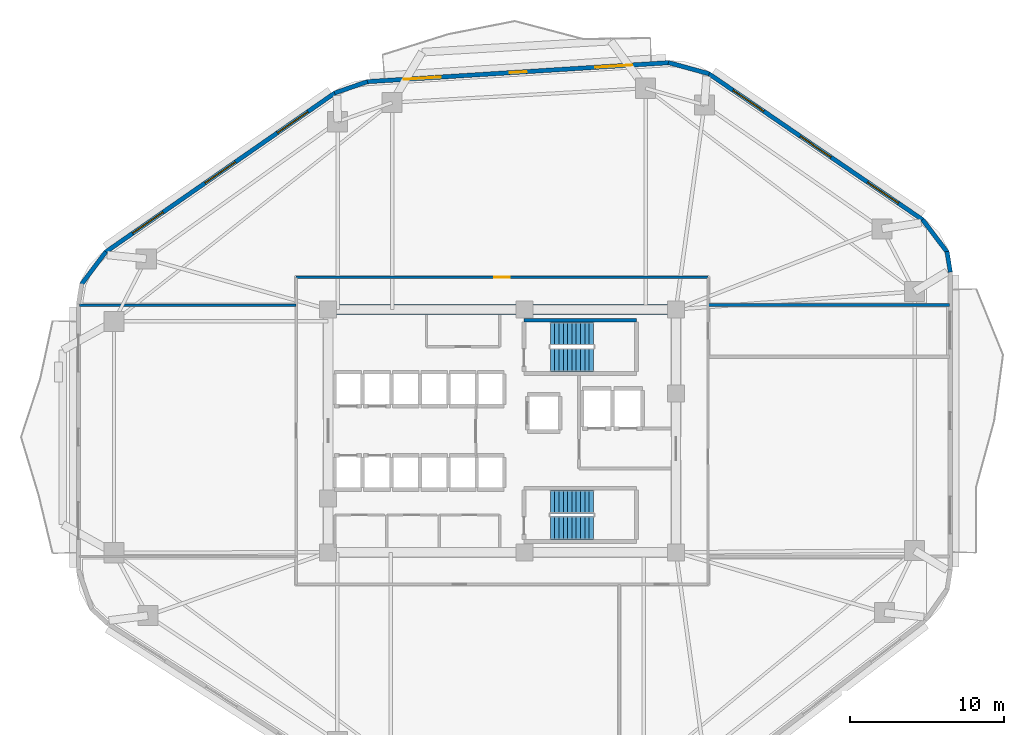
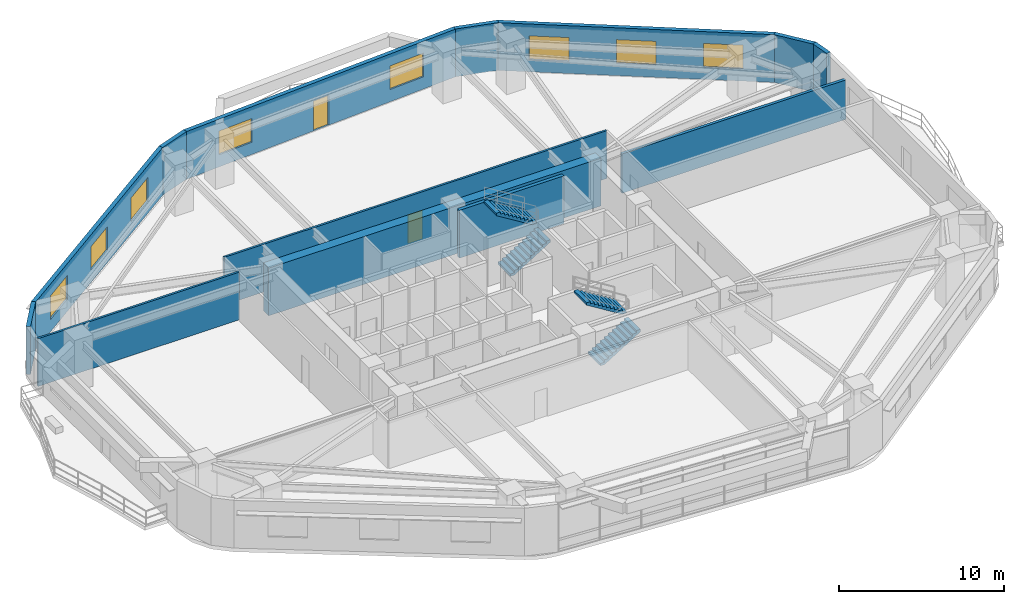
# One storey, part 10 of 13: 13 walls, 8 windows, 4 stair flights, 2 doors, 10 openings, 2 elements without a shape of their own.
"""IFC4 building model written with IfcOpenShell, lengths in metres."""

from ifc_helpers import new_model, si_unit, direction, frame, frame_2d, origin, place, context, subcontext, project, spatial, polyline, rectangle, outline, extrude, material, layer, layer_set, type_object, element, fill, aggregate, save


model = new_model("IFC4")

# Units and contexts
model_context = context("Model", 3, precision=1e-05, world=origin(), true_north=direction((0.0, 1.0)))
body_context = subcontext(model_context, "Body", "Model", "MODEL_VIEW")
ifc_project = project(units=[si_unit("LENGTHUNIT", "METRE"), si_unit("AREAUNIT", "SQUARE_METRE"), si_unit("VOLUMEUNIT", "CUBIC_METRE"), si_unit("PLANEANGLEUNIT", "RADIAN"), si_unit("MASSUNIT", "GRAM", prefix="KILO")], contexts=[model_context])

# Site, building, storey
site_placement = place(None, origin())
site = spatial("IfcSite", under=ifc_project, at=site_placement, CompositionType="ELEMENT")
building_placement = place(site_placement, origin())
building = spatial("IfcBuilding", under=site, at=building_placement, Name="Zulverin Broadcast Headquarters", CompositionType="ELEMENT")
storey_placement = place(building_placement, frame((0.0, 0.0, 70.60009765625)))
storey = spatial("IfcBuildingStorey", under=building, at=storey_placement, Name="L17", CompositionType="ELEMENT", Elevation=70.60009765625)

# Walls
ifc_material_1 = material(Name="Acoustic drywall steel stud", Category="steel")
ifc_layer_1 = layer(ifc_material_1, 0.199951171875, Name="Acoustic drywall steel stud", Category="steel")
ifc_layer_set_1 = layer_set([ifc_layer_1], Name="Acoustic drywall steel stud")
wall_type_1 = type_object("IfcWallType", Name="WL-ACOU-200", PredefinedType="PARTITIONING", material=ifc_layer_set_1)
wall_1_placement = place(storey_placement, frame((50.35009765625, 33.35009765625, 0.0), z_axis=(0.0, 0.0, 1.0), x_axis=(1.0, 0.0, 0.0)))
element("IfcWall", 1, at=wall_1_placement, inside=storey, type_object=wall_type_1, Name="L17 Room Partition Wall RP-09", PredefinedType="PARTITIONING", context=body_context, shape_type="SweptSolid", body=[
    extrude(rectangle(XDim=15.64501953125, YDim=0.199951171875, at=frame_2d((7.822509765625, 0.0))), origin(), (0.0, 0.0, 1.0), 2.90771484375),
])
ifc_material_2 = material(Name="Concrete C60/75", Category="concrete")
ifc_layer_2 = layer(ifc_material_2, 0.64990234375, Name="Concrete C60/75", Category="concrete")
ifc_layer_set_2 = layer_set([ifc_layer_2], Name="Concrete C60/75")
wall_type_2 = type_object("IfcWallType", Name="WL-CORE-650", PredefinedType="SHEAR", material=ifc_layer_set_2)
wall_2_placement = place(storey_placement, frame((25.39990234375, 33.074951171875, 0.0), z_axis=(0.0, 0.0, 1.0), x_axis=(1.0, 0.0, 0.0)))
element("IfcWall", 2, at=wall_2_placement, inside=storey, type_object=wall_type_2, Name="L17 Core North Shear Wall", PredefinedType="SHEAR", context=body_context, shape_type="SweptSolid", body=[
    extrude(rectangle(XDim=23.2001953125, YDim=0.64990234375, at=frame_2d((11.60009765625, 0.0))), origin(), (0.0, 0.0, 1.0), 3.52490234375),
])

# Wall, openings, windows
ifc_material_3 = material(Name="Insulated pale-metal clad concrete spandrel C40/50", Category="concrete")
ifc_layer_3 = layer(ifc_material_3, 0.280029296875, Name="Insulated pale-metal clad concrete spandrel C40/50", Category="concrete")
ifc_layer_set_3 = layer_set([ifc_layer_3], Name="Insulated pale-metal clad concrete spandrel C40/50")
wall_type_3 = type_object("IfcWallType", Name="WL-EXT-280", PredefinedType="STANDARD", material=ifc_layer_set_3)
wall_3_placement = place(storey_placement, frame((64.289794921875, 38.8671875, 0.0), z_axis=(0.0, 0.0, 1.0), x_axis=(-0.825755550159, 0.564028165416, 0.0)))
wall_3 = element("IfcWall", 3, at=wall_3_placement, inside=storey, type_object=wall_type_3, Name="L17 Pale-Metal Clad Spandrel Wall 4", PredefinedType="STANDARD", context=body_context, shape_type="SweptSolid", body=[
    extrude(rectangle(XDim=16.848388671875, YDim=0.280029296875, at=frame_2d((8.42431640625, 0.0))), origin(), (0.0, 0.0, 1.0), 3.52490234375),
])
opening_1_placement = place(wall_3_placement, frame((1.94140625, 0.0, 0.89990234375)))
opening_1 = element("IfcOpeningElement", 4, at=opening_1_placement, cuts=wall_3, Name="Opening W-L17-E41", PredefinedType="OPENING", context=body_context, shape_type="SweptSolid", body=[
    extrude(rectangle(XDim=2.39990234375, YDim=1.75, at=frame_2d((1.199951171875, 0.875))), frame((0.0, 0.14990234375, 0.0), z_axis=(0.0, -1.0, 0.0), x_axis=(1.0, 0.0, 0.0)), (0.0, 0.0, 1.0), 0.300048828125),
])
opening_2_placement = place(wall_3_placement, frame((7.22412109375, 0.0, 0.89990234375)))
opening_2 = element("IfcOpeningElement", 5, at=opening_2_placement, cuts=wall_3, Name="Opening W-L17-E42", PredefinedType="OPENING", context=body_context, shape_type="SweptSolid", body=[
    extrude(rectangle(XDim=2.39990234375, YDim=1.75, at=frame_2d((1.199951171875, 0.875))), frame((0.0, 0.14990234375, 0.0), z_axis=(0.0, -1.0, 0.0), x_axis=(1.0, 0.0, 0.0)), (0.0, 0.0, 1.0), 0.300048828125),
])
opening_3_placement = place(wall_3_placement, frame((12.5068359375, 0.0, 0.89990234375)))
opening_3 = element("IfcOpeningElement", 6, at=opening_3_placement, cuts=wall_3, Name="Opening W-L17-E43", PredefinedType="OPENING", context=body_context, shape_type="SweptSolid", body=[
    extrude(rectangle(XDim=2.39990234375, YDim=1.75, at=frame_2d((1.199951171875, 0.875))), frame((0.0, 0.14990234375, 0.0), z_axis=(0.0, -1.0, 0.0), x_axis=(1.0, 0.0, 0.0)), (0.0, 0.0, 1.0), 0.300048828125),
])
ifc_material_4 = material(Name="Pale anodized aluminium frame with solar-control low-E double glazing", Category="aluminium")
window_type = type_object("IfcWindowType", Name="WIN-RIB-2400", PartitioningType="SINGLE_PANEL", PredefinedType="WINDOW", material=ifc_material_4)
window_1_placement = place(opening_1_placement, origin())
window_1 = element("IfcWindow", 7, at=window_1_placement, inside=storey, type_object=window_type, Name="L17 Ribbon Glazing Window 4 1", OverallHeight=1.75, OverallWidth=2.39990234375, PartitioningType="SINGLE_PANEL", PredefinedType="WINDOW", context=body_context, shape_type="SweptSolid", body=[
    extrude(rectangle(XDim=2.39990234375, YDim=1.75, at=frame_2d((1.199951171875, 0.875))), frame((0.0, 0.030029296875, 0.0), z_axis=(0.0, -1.0, 0.0), x_axis=(1.0, 0.0, 0.0)), (0.0, 0.0, 1.0), 0.06005859375),
])
fill(opening_1, window_1)
window_2_placement = place(opening_2_placement, origin())
window_2 = element("IfcWindow", 8, at=window_2_placement, inside=storey, type_object=window_type, Name="L17 Ribbon Glazing Window 4 2", OverallHeight=1.75, OverallWidth=2.39990234375, PartitioningType="SINGLE_PANEL", PredefinedType="WINDOW", context=body_context, shape_type="SweptSolid", body=[
    extrude(rectangle(XDim=2.39990234375, YDim=1.75, at=frame_2d((1.199951171875, 0.875))), frame((0.0, 0.030029296875, 0.0), z_axis=(0.0, -1.0, 0.0), x_axis=(1.0, 0.0, 0.0)), (0.0, 0.0, 1.0), 0.06005859375),
])
fill(opening_2, window_2)
window_3_placement = place(opening_3_placement, origin())
window_3 = element("IfcWindow", 9, at=window_3_placement, inside=storey, type_object=window_type, Name="L17 Ribbon Glazing Window 4 3", OverallHeight=1.75, OverallWidth=2.39990234375, PartitioningType="SINGLE_PANEL", PredefinedType="WINDOW", context=body_context, shape_type="SweptSolid", body=[
    extrude(rectangle(XDim=2.39990234375, YDim=1.75, at=frame_2d((1.199951171875, 0.875))), frame((0.0, 0.030029296875, 0.0), z_axis=(0.0, -1.0, 0.0), x_axis=(1.0, 0.0, 0.0)), (0.0, 0.0, 1.0), 0.06005859375),
])
fill(opening_3, window_3)

# Wall, openings, door, windows
wall_4_placement = place(storey_placement, frame((47.831787109375, 49.0693359375, 0.0), z_axis=(0.0, 0.0, 1.0), x_axis=(-0.998017725054, -0.062933460723, 0.0)))
wall_4 = element("IfcWall", 10, at=wall_4_placement, inside=storey, type_object=wall_type_3, Name="L17 Pale-Metal Clad Spandrel Wall 5", PredefinedType="STANDARD", context=body_context, shape_type="SweptSolid", body=[
    extrude(rectangle(XDim=19.62939453125, YDim=0.280029296875, at=frame_2d((9.814697265625, 0.0))), origin(), (0.0, 0.0, 1.0), 3.52490234375),
])
opening_4_placement = place(wall_4_placement, frame((9.264892578125, 0.0, 0.0)))
opening_4 = element("IfcOpeningElement", 11, at=opening_4_placement, cuts=wall_4, Name="Opening D-L17-TR5", PredefinedType="OPENING", context=body_context, shape_type="SweptSolid", body=[
    extrude(rectangle(XDim=1.10009765625, YDim=2.199951171875, at=frame_2d((0.550048828125, 1.10009765625))), frame((0.0, 0.14990234375, 0.0), z_axis=(0.0, -1.0, 0.0), x_axis=(1.0, 0.0, 0.0)), (0.0, 0.0, 1.0), 0.300048828125),
])
opening_5_placement = place(wall_4_placement, frame((2.40478515625, 0.0, 0.89990234375)))
opening_5 = element("IfcOpeningElement", 12, at=opening_5_placement, cuts=wall_4, Name="Opening W-L17-E51", PredefinedType="OPENING", context=body_context, shape_type="SweptSolid", body=[
    extrude(rectangle(XDim=2.39990234375, YDim=1.75, at=frame_2d((1.199951171875, 0.875))), frame((0.0, 0.14990234375, 0.0), z_axis=(0.0, -1.0, 0.0), x_axis=(1.0, 0.0, 0.0)), (0.0, 0.0, 1.0), 0.300048828125),
])
opening_6_placement = place(wall_4_placement, frame((14.82470703125, 0.0, 0.89990234375)))
opening_6 = element("IfcOpeningElement", 13, at=opening_6_placement, cuts=wall_4, Name="Opening W-L17-E52", PredefinedType="OPENING", context=body_context, shape_type="SweptSolid", body=[
    extrude(rectangle(XDim=2.39990234375, YDim=1.75, at=frame_2d((1.199951171875, 0.875))), frame((0.0, 0.14990234375, 0.0), z_axis=(0.0, -1.0, 0.0), x_axis=(1.0, 0.0, 0.0)), (0.0, 0.0, 1.0), 0.300048828125),
])
ifc_material_5 = material(Name="Thermally broken aluminium glazed", Category="aluminium")
door_type_1 = type_object("IfcDoorType", Name="DR-TERR-1100", OperationType="SINGLE_SWING_RIGHT", PredefinedType="DOOR", material=ifc_material_5)
door_1_placement = place(opening_4_placement, origin())
door_1 = element("IfcDoor", 14, at=door_1_placement, inside=storey, type_object=door_type_1, Name="L17 Planted Terrace Glazed Access Door 5", OperationType="SINGLE_SWING_RIGHT", OverallHeight=2.199951171875, OverallWidth=1.10009765625, PredefinedType="DOOR", context=body_context, shape_type="SweptSolid", body=[
    extrude(rectangle(XDim=1.10009765625, YDim=2.199951171875, at=frame_2d((0.550048828125, 1.10009765625))), frame((0.0, 0.02490234375, 0.0), z_axis=(0.0, -1.0, 0.0), x_axis=(1.0, 0.0, 0.0)), (0.0, 0.0, 1.0), 0.050048828125),
])
fill(opening_4, door_1)
window_4_placement = place(opening_5_placement, origin())
window_4 = element("IfcWindow", 15, at=window_4_placement, inside=storey, type_object=window_type, Name="L17 Ribbon Glazing Window 5 1", OverallHeight=1.75, OverallWidth=2.39990234375, PartitioningType="SINGLE_PANEL", PredefinedType="WINDOW", context=body_context, shape_type="SweptSolid", body=[
    extrude(rectangle(XDim=2.39990234375, YDim=1.75, at=frame_2d((1.199951171875, 0.875))), frame((0.0, 0.030029296875, 0.0), z_axis=(0.0, -1.0, 0.0), x_axis=(1.0, 0.0, 0.0)), (0.0, 0.0, 1.0), 0.06005859375),
])
fill(opening_5, window_4)
window_5_placement = place(opening_6_placement, origin())
window_5 = element("IfcWindow", 16, at=window_5_placement, inside=storey, type_object=window_type, Name="L17 Ribbon Glazing Window 5 2", OverallHeight=1.75, OverallWidth=2.39990234375, PartitioningType="SINGLE_PANEL", PredefinedType="WINDOW", context=body_context, shape_type="SweptSolid", body=[
    extrude(rectangle(XDim=2.39990234375, YDim=1.75, at=frame_2d((1.199951171875, 0.875))), frame((0.0, 0.030029296875, 0.0), z_axis=(0.0, -1.0, 0.0), x_axis=(1.0, 0.0, 0.0)), (0.0, 0.0, 1.0), 0.06005859375),
])
fill(opening_6, window_5)

# Wall, openings, windows
wall_5_placement = place(storey_placement, frame((26.181884765625, 47.11767578125, 0.0), z_axis=(0.0, 0.0, 1.0), x_axis=(-0.821547956627, -0.570139417127, 0.0)))
wall_5 = element("IfcWall", 17, at=wall_5_placement, inside=storey, type_object=wall_type_3, Name="L17 Pale-Metal Clad Spandrel Wall 6", PredefinedType="STANDARD", context=body_context, shape_type="SweptSolid", body=[
    extrude(rectangle(XDim=18.13232421875, YDim=0.280029296875, at=frame_2d((9.066162109375, 0.0))), origin(), (0.0, 0.0, 1.0), 3.52490234375),
])
opening_7_placement = place(wall_5_placement, frame((2.155517578125, 0.0, 0.89990234375)))
opening_7 = element("IfcOpeningElement", 18, at=opening_7_placement, cuts=wall_5, Name="Opening W-L17-E61", PredefinedType="OPENING", context=body_context, shape_type="SweptSolid", body=[
    extrude(rectangle(XDim=2.39990234375, YDim=1.75, at=frame_2d((1.199951171875, 0.875))), frame((0.0, 0.14990234375, 0.0), z_axis=(0.0, -1.0, 0.0), x_axis=(1.0, 0.0, 0.0)), (0.0, 0.0, 1.0), 0.300048828125),
])
opening_8_placement = place(wall_5_placement, frame((7.8662109375, 0.0, 0.89990234375)))
opening_8 = element("IfcOpeningElement", 19, at=opening_8_placement, cuts=wall_5, Name="Opening W-L17-E62", PredefinedType="OPENING", context=body_context, shape_type="SweptSolid", body=[
    extrude(rectangle(XDim=2.39990234375, YDim=1.75, at=frame_2d((1.199951171875, 0.875))), frame((0.0, 0.14990234375, 0.0), z_axis=(0.0, -1.0, 0.0), x_axis=(1.0, 0.0, 0.0)), (0.0, 0.0, 1.0), 0.300048828125),
])
opening_9_placement = place(wall_5_placement, frame((13.576904296875, 0.0, 0.89990234375)))
opening_9 = element("IfcOpeningElement", 20, at=opening_9_placement, cuts=wall_5, Name="Opening W-L17-E63", PredefinedType="OPENING", context=body_context, shape_type="SweptSolid", body=[
    extrude(rectangle(XDim=2.39990234375, YDim=1.75, at=frame_2d((1.199951171875, 0.875))), frame((0.0, 0.14990234375, 0.0), z_axis=(0.0, -1.0, 0.0), x_axis=(1.0, 0.0, 0.0)), (0.0, 0.0, 1.0), 0.300048828125),
])
window_6_placement = place(opening_7_placement, origin())
window_6 = element("IfcWindow", 21, at=window_6_placement, inside=storey, type_object=window_type, Name="L17 Ribbon Glazing Window 6 1", OverallHeight=1.75, OverallWidth=2.39990234375, PartitioningType="SINGLE_PANEL", PredefinedType="WINDOW", context=body_context, shape_type="SweptSolid", body=[
    extrude(rectangle(XDim=2.39990234375, YDim=1.75, at=frame_2d((1.199951171875, 0.875))), frame((0.0, 0.030029296875, 0.0), z_axis=(0.0, -1.0, 0.0), x_axis=(1.0, 0.0, 0.0)), (0.0, 0.0, 1.0), 0.06005859375),
])
fill(opening_7, window_6)
window_7_placement = place(opening_8_placement, origin())
window_7 = element("IfcWindow", 22, at=window_7_placement, inside=storey, type_object=window_type, Name="L17 Ribbon Glazing Window 6 2", OverallHeight=1.75, OverallWidth=2.39990234375, PartitioningType="SINGLE_PANEL", PredefinedType="WINDOW", context=body_context, shape_type="SweptSolid", body=[
    extrude(rectangle(XDim=2.39990234375, YDim=1.75, at=frame_2d((1.199951171875, 0.875))), frame((0.0, 0.030029296875, 0.0), z_axis=(0.0, -1.0, 0.0), x_axis=(1.0, 0.0, 0.0)), (0.0, 0.0, 1.0), 0.06005859375),
])
fill(opening_8, window_7)
window_8_placement = place(opening_9_placement, origin())
window_8 = element("IfcWindow", 23, at=window_8_placement, inside=storey, type_object=window_type, Name="L17 Ribbon Glazing Window 6 3", OverallHeight=1.75, OverallWidth=2.39990234375, PartitioningType="SINGLE_PANEL", PredefinedType="WINDOW", context=body_context, shape_type="SweptSolid", body=[
    extrude(rectangle(XDim=2.39990234375, YDim=1.75, at=frame_2d((1.199951171875, 0.875))), frame((0.0, 0.030029296875, 0.0), z_axis=(0.0, -1.0, 0.0), x_axis=(1.0, 0.0, 0.0)), (0.0, 0.0, 1.0), 0.06005859375),
])
fill(opening_9, window_8)

# Walls
wall_6_placement = place(storey_placement, frame((66.061767578125, 35.491943359375, 0.0), z_axis=(0.0, 0.0, 1.0), x_axis=(-0.161182073582, 0.986924687682, 0.0)))
element("IfcWall", 24, at=wall_6_placement, inside=storey, type_object=wall_type_3, Name="L17 Wind-Shaped Corner Spandrel Wall 3-1", PredefinedType="STANDARD", context=body_context, shape_type="SweptSolid", body=[
    extrude(rectangle(XDim=1.354248046875, YDim=0.280029296875, at=frame_2d((0.67724609375, 0.0))), origin(), (0.0, 0.0, 1.0), 3.52490234375),
])
wall_7_placement = place(storey_placement, frame((65.8701171875, 36.7666015625, 0.0), z_axis=(0.0, 0.0, 1.0), x_axis=(-0.603370463754, 0.797461023166, 0.0)))
element("IfcWall", 25, at=wall_7_placement, inside=storey, type_object=wall_type_3, Name="L17 Wind-Shaped Corner Spandrel Wall 3-2", PredefinedType="STANDARD", context=body_context, shape_type="SweptSolid", body=[
    extrude(rectangle(XDim=2.6728515625, YDim=0.280029296875, at=frame_2d((1.33642578125, 0.0))), origin(), (0.0, 0.0, 1.0), 3.52490234375),
])
wall_8_placement = place(storey_placement, frame((50.419189453125, 48.3505859375, 0.0), z_axis=(0.0, 0.0, 1.0), x_axis=(-0.964254516967, 0.264977784933, 0.0)))
element("IfcWall", 26, at=wall_8_placement, inside=storey, type_object=wall_type_3, Name="L17 Wind-Shaped Corner Spandrel Wall 4-1", PredefinedType="STANDARD", context=body_context, shape_type="SweptSolid", body=[
    extrude(rectangle(XDim=2.73095703125, YDim=0.280029296875, at=frame_2d((1.365478515625, 0.0))), origin(), (0.0, 0.0, 1.0), 3.52490234375),
])
wall_9_placement = place(storey_placement, frame((28.2783203125, 47.841552734375, 0.0), z_axis=(0.0, 0.0, 1.0), x_axis=(-0.9444559001, -0.328638179106, 0.0)))
element("IfcWall", 27, at=wall_9_placement, inside=storey, type_object=wall_type_3, Name="L17 Wind-Shaped Corner Spandrel Wall 5-1", PredefinedType="STANDARD", context=body_context, shape_type="SweptSolid", body=[
    extrude(rectangle(XDim=2.25537109375, YDim=0.280029296875, at=frame_2d((1.127685546875, 0.0))), origin(), (0.0, 0.0, 1.0), 3.52490234375),
])
wall_10_placement = place(storey_placement, frame((11.317626953125, 36.81103515625, 0.0), z_axis=(0.0, 0.0, 1.0), x_axis=(-0.599455152629, -0.800408345775, 0.0)))
element("IfcWall", 28, at=wall_10_placement, inside=storey, type_object=wall_type_3, Name="L17 Wind-Shaped Corner Spandrel Wall 6-1", PredefinedType="STANDARD", context=body_context, shape_type="SweptSolid", body=[
    extrude(rectangle(XDim=2.6533203125, YDim=0.280029296875, at=frame_2d((1.32666015625, 0.0))), origin(), (0.0, 0.0, 1.0), 3.52490234375),
])
ifc_material_6 = material(Name="Fire-rated gypsum stud partition", Category="gypsum")
ifc_layer_4 = layer(ifc_material_6, 0.14990234375, Name="Fire-rated gypsum stud partition", Category="gypsum")
ifc_layer_set_4 = layer_set([ifc_layer_4], Name="Fire-rated gypsum stud partition")
wall_type_4 = type_object("IfcWallType", Name="WL-PART-150", PredefinedType="PARTITIONING", material=ifc_layer_set_4)
wall_11_placement = place(storey_placement, frame((9.60498046875, 33.35009765625, 0.0), z_axis=(0.0, 0.0, 1.0), x_axis=(1.0, 0.0, 0.0)))
element("IfcWall", 29, at=wall_11_placement, inside=storey, type_object=wall_type_4, Name="L17 Room Partition Wall RP-08", PredefinedType="PARTITIONING", context=body_context, shape_type="SweptSolid", body=[
    extrude(rectangle(XDim=14.044921875, YDim=0.14990234375, at=frame_2d((7.0224609375, 0.0))), origin(), (0.0, 0.0, 1.0), 3.52490234375),
])

# Wall, opening, door
wall_12_placement = place(storey_placement, frame((23.64990234375, 35.14990234375, 0.0), z_axis=(0.0, 0.0, 1.0), x_axis=(1.0, 0.0, 0.0)))
wall_12 = element("IfcWall", 30, at=wall_12_placement, inside=storey, type_object=wall_type_4, Name="L17 Gallery Partition Wall CG-10", PredefinedType="PARTITIONING", context=body_context, shape_type="SweptSolid", body=[
    extrude(rectangle(XDim=26.7001953125, YDim=0.14990234375, at=frame_2d((13.35009765625, 0.0))), origin(), (0.0, 0.0, 1.0), 3.52490234375),
])
opening_10_placement = place(wall_12_placement, frame((12.85009765625, 0.0, 0.0)))
opening_10 = element("IfcOpeningElement", 31, at=opening_10_placement, cuts=wall_12, Name="Opening D-L17-01", PredefinedType="OPENING", context=body_context, shape_type="SweptSolid", body=[
    extrude(rectangle(XDim=1.0, YDim=2.1201171875, at=frame_2d((0.5, 1.06005859375))), frame((0.0, 0.0849609375, 0.0), z_axis=(0.0, -1.0, 0.0), x_axis=(1.0, 0.0, 0.0)), (0.0, 0.0, 1.0), 0.169921875),
])
ifc_material_7 = material(Name="Hardwood veneer acoustic leaf", Category="wood")
door_type_2 = type_object("IfcDoorType", Name="DR-OFF-1000", OperationType="SINGLE_SWING_LEFT", PredefinedType="DOOR", material=ifc_material_7)
door_2_placement = place(opening_10_placement, origin())
door_2 = element("IfcDoor", 32, at=door_2_placement, inside=storey, type_object=door_type_2, Name="L17 Broadcast Production Office Door", OperationType="SINGLE_SWING_RIGHT", OverallHeight=2.1201171875, OverallWidth=1.0, PredefinedType="DOOR", context=body_context, shape_type="SweptSolid", body=[
    extrude(rectangle(XDim=1.0, YDim=2.1201171875, at=frame_2d((0.5, 1.06005859375))), frame((0.0, 0.02490234375, 0.0), z_axis=(0.0, -1.0, 0.0), x_axis=(1.0, 0.0, 0.0)), (0.0, 0.0, 1.0), 0.050048828125),
])
fill(opening_10, door_2)

# Wall
ifc_material_8 = material(Name="Concrete C50/60", Category="concrete")
ifc_layer_5 = layer(ifc_material_8, 0.25, Name="Concrete C50/60", Category="concrete")
ifc_layer_set_5 = layer_set([ifc_layer_5], Name="Concrete C50/60")
wall_type_5 = type_object("IfcWallType", Name="WL-SHAFT-250", PredefinedType="SHEAR", material=ifc_layer_set_5)
wall_13_placement = place(storey_placement, frame((38.425048828125, 32.375, 0.0), z_axis=(0.0, 0.0, 1.0), x_axis=(1.0, 0.0, 0.0)))
element("IfcWall", 33, at=wall_13_placement, inside=storey, type_object=wall_type_5, Name="L17 ST-1 Enclosure Wall N", PredefinedType="SHEAR", context=body_context, shape_type="SweptSolid", body=[
    extrude(rectangle(XDim=7.300048828125, YDim=0.25, at=frame_2d((3.64990234375, 0.0))), origin(), (0.0, 0.0, 1.0), 3.52490234375),
])

# Stair, stair flights
ifc_material_9 = material(Name="Concrete C40/50", Category="concrete")
stair_type = type_object("IfcStairType", Name="ST-CORE-1500", PredefinedType="HALF_TURN_STAIR", material=ifc_material_9)
stair_1_placement = place(storey_placement, origin())
stair_1 = element("IfcStair", 34, at=stair_1_placement, inside=storey, type_object=stair_type, Name="L17 Core Exit Stair ST-1", PredefinedType="HALF_TURN_STAIR")
stair_flight_type = type_object("IfcStairFlightType", Name="SF-CORE-1500", PredefinedType="STRAIGHT", material=ifc_material_9)
stair_flight_1_placement = place(storey_placement, frame((40.1298828125, 29.800048828125, 0.0), z_axis=(0.0, 0.0, 1.0), x_axis=(1.0, 0.0, 0.0)))
stair_flight_1 = element("IfcStairFlight", 35, at=stair_flight_1_placement, type_object=stair_flight_type, Name="ST-1 flight 1", NumberOfRisers=11, NumberOfTreads=10, PredefinedType="STRAIGHT", RiserHeight=0.172727273, TreadLength=0.28, context=body_context, shape_type="SweptSolid", body=[
    extrude(outline(polyline([(0.0, 0.0), (0.0, 0.172607421875), (0.280029296875, 0.172607421875), (0.280029296875, 0.345458984375), (0.56005859375, 0.345458984375), (0.56005859375, 0.51806640625), (0.840087890625, 0.51806640625), (0.840087890625, 0.69091796875), (1.1201171875, 0.69091796875), (1.1201171875, 0.863525390625), (1.39990234375, 0.863525390625), (1.39990234375, 1.036376953125), (1.679931640625, 1.036376953125), (1.679931640625, 1.208984375), (1.9599609375, 1.208984375), (1.9599609375, 1.3818359375), (2.239990234375, 1.3818359375), (2.239990234375, 1.554443359375), (2.52001953125, 1.554443359375), (2.52001953125, 1.727294921875), (2.800048828125, 1.727294921875), (2.800048828125, 1.89990234375), (2.800048828125, 1.551025390625), (0.285400390625, 0.0), (0.0, 0.0)])), frame((0.0, 0.75, 0.0), z_axis=(0.0, -1.0, 0.0), x_axis=(1.0, 0.0, 0.0)), (0.0, 0.0, 1.0), 1.5),
])
stair_flight_2_placement = place(storey_placement, frame((42.929931640625, 31.5, 1.89990234375), z_axis=(0.0, 0.0, 1.0), x_axis=(-1.0, 0.0, 0.0)))
stair_flight_2 = element("IfcStairFlight", 36, at=stair_flight_2_placement, type_object=stair_flight_type, Name="ST-1 flight 2", NumberOfRisers=11, NumberOfTreads=10, PredefinedType="STRAIGHT", RiserHeight=0.172727273, TreadLength=0.28, context=body_context, shape_type="SweptSolid", body=[
    extrude(outline(polyline([(0.0, 0.0), (0.0, 0.172607421875), (0.280029296875, 0.172607421875), (0.280029296875, 0.345458984375), (0.56005859375, 0.345458984375), (0.56005859375, 0.51806640625), (0.840087890625, 0.51806640625), (0.840087890625, 0.69091796875), (1.1201171875, 0.69091796875), (1.1201171875, 0.863525390625), (1.39990234375, 0.863525390625), (1.39990234375, 1.036376953125), (1.679931640625, 1.036376953125), (1.679931640625, 1.208984375), (1.9599609375, 1.208984375), (1.9599609375, 1.3818359375), (2.239990234375, 1.3818359375), (2.239990234375, 1.554443359375), (2.52001953125, 1.554443359375), (2.52001953125, 1.727294921875), (2.800048828125, 1.727294921875), (2.800048828125, 1.89990234375), (2.800048828125, 1.551025390625), (0.285400390625, 0.0), (0.0, 0.0)])), frame((0.0, 0.75, 0.0), z_axis=(0.0, -1.0, 0.0), x_axis=(1.0, 0.0, 0.0)), (0.0, 0.0, 1.0), 1.5),
])
aggregate(stair_1, [stair_flight_1, stair_flight_2])

stair_2_placement = place(storey_placement, origin())
stair_2 = element("IfcStair", 37, at=stair_2_placement, inside=storey, type_object=stair_type, Name="L17 Core Exit Stair ST-2", PredefinedType="HALF_TURN_STAIR")
stair_flight_3_placement = place(storey_placement, frame((40.1298828125, 18.89990234375, 0.0), z_axis=(0.0, 0.0, 1.0), x_axis=(1.0, 0.0, 0.0)))
stair_flight_3 = element("IfcStairFlight", 38, at=stair_flight_3_placement, type_object=stair_flight_type, Name="ST-2 flight 1", NumberOfRisers=11, NumberOfTreads=10, PredefinedType="STRAIGHT", RiserHeight=0.172727273, TreadLength=0.28, context=body_context, shape_type="SweptSolid", body=[
    extrude(outline(polyline([(0.0, 0.0), (0.0, 0.172607421875), (0.280029296875, 0.172607421875), (0.280029296875, 0.345458984375), (0.56005859375, 0.345458984375), (0.56005859375, 0.51806640625), (0.840087890625, 0.51806640625), (0.840087890625, 0.69091796875), (1.1201171875, 0.69091796875), (1.1201171875, 0.863525390625), (1.39990234375, 0.863525390625), (1.39990234375, 1.036376953125), (1.679931640625, 1.036376953125), (1.679931640625, 1.208984375), (1.9599609375, 1.208984375), (1.9599609375, 1.3818359375), (2.239990234375, 1.3818359375), (2.239990234375, 1.554443359375), (2.52001953125, 1.554443359375), (2.52001953125, 1.727294921875), (2.800048828125, 1.727294921875), (2.800048828125, 1.89990234375), (2.800048828125, 1.551025390625), (0.285400390625, 0.0), (0.0, 0.0)])), frame((0.0, 0.75, 0.0), z_axis=(0.0, -1.0, 0.0), x_axis=(1.0, 0.0, 0.0)), (0.0, 0.0, 1.0), 1.5),
])
stair_flight_4_placement = place(storey_placement, frame((42.929931640625, 20.60009765625, 1.89990234375), z_axis=(0.0, 0.0, 1.0), x_axis=(-1.0, 0.0, 0.0)))
stair_flight_4 = element("IfcStairFlight", 39, at=stair_flight_4_placement, type_object=stair_flight_type, Name="ST-2 flight 2", NumberOfRisers=11, NumberOfTreads=10, PredefinedType="STRAIGHT", RiserHeight=0.172727273, TreadLength=0.28, context=body_context, shape_type="SweptSolid", body=[
    extrude(outline(polyline([(0.0, 0.0), (0.0, 0.172607421875), (0.280029296875, 0.172607421875), (0.280029296875, 0.345458984375), (0.56005859375, 0.345458984375), (0.56005859375, 0.51806640625), (0.840087890625, 0.51806640625), (0.840087890625, 0.69091796875), (1.1201171875, 0.69091796875), (1.1201171875, 0.863525390625), (1.39990234375, 0.863525390625), (1.39990234375, 1.036376953125), (1.679931640625, 1.036376953125), (1.679931640625, 1.208984375), (1.9599609375, 1.208984375), (1.9599609375, 1.3818359375), (2.239990234375, 1.3818359375), (2.239990234375, 1.554443359375), (2.52001953125, 1.554443359375), (2.52001953125, 1.727294921875), (2.800048828125, 1.727294921875), (2.800048828125, 1.89990234375), (2.800048828125, 1.551025390625), (0.285400390625, 0.0), (0.0, 0.0)])), frame((0.0, 0.75, 0.0), z_axis=(0.0, -1.0, 0.0), x_axis=(1.0, 0.0, 0.0)), (0.0, 0.0, 1.0), 1.5),
])
aggregate(stair_2, [stair_flight_3, stair_flight_4])

save(model, "model.ifc")
